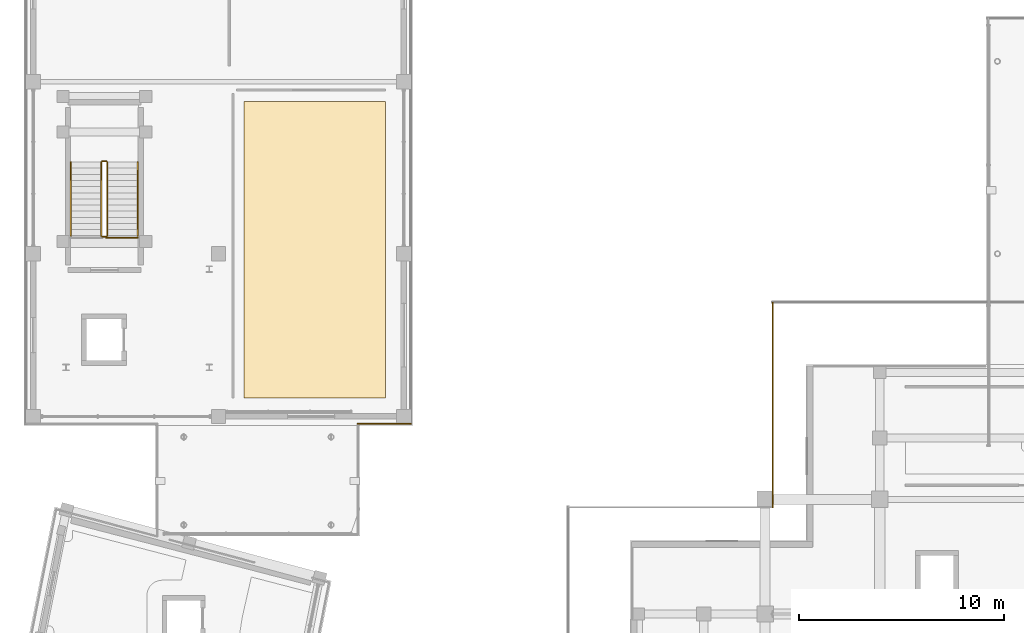
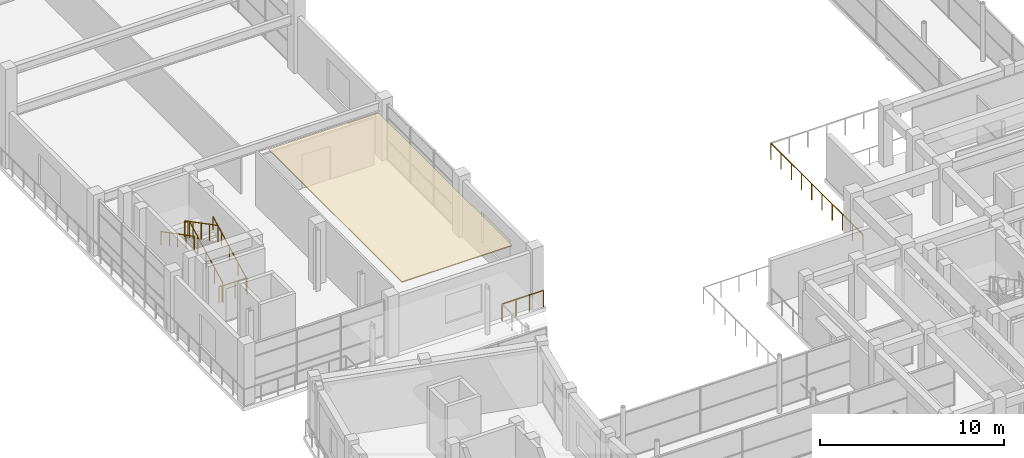
# One storey, part 68 of 72: 9 railings, 1 covering.
"""IFC4 building model written with IfcOpenShell, lengths in metres."""

from ifc_helpers import new_model, si_unit, direction, frame, origin, origin_2d, place, context, subcontext, project, spatial, polyline, rectangle, outline, extrude, material, layer, layer_set, type_object, element, save


model = new_model("IFC4")

# Units and contexts
model_context = context("Model", 3, precision=1e-05, world=origin(), true_north=direction((0.0, 1.0)))
body_context = subcontext(model_context, "Body", "Model", "MODEL_VIEW")
ifc_project = project(units=[si_unit("LENGTHUNIT", "METRE"), si_unit("AREAUNIT", "SQUARE_METRE"), si_unit("VOLUMEUNIT", "CUBIC_METRE"), si_unit("PLANEANGLEUNIT", "RADIAN"), si_unit("MASSUNIT", "GRAM", prefix="KILO")], contexts=[model_context])

# Site, building, storey
site_placement = place(None, origin())
site = spatial("IfcSite", under=ifc_project, at=site_placement, CompositionType="ELEMENT")
building_placement = place(site_placement, origin())
building = spatial("IfcBuilding", under=site, at=building_placement, Name="Saryqyr Civic Hall", CompositionType="ELEMENT")
storey_placement = place(building_placement, frame((0.0, 0.0, 17.25)))
storey = spatial("IfcBuildingStorey", under=building, at=storey_placement, Name="L04", CompositionType="ELEMENT", Elevation=17.25)

# Railing
ifc_material_1 = material(Name="Stainless steel and laminated glass", Category="steel")
ifc_layer_1 = layer(ifc_material_1, 0.06005859375, Name="Stainless steel and laminated glass")
ifc_layer_set_1 = layer_set([ifc_layer_1], Name="Stainless steel and laminated glass")
railing_type_1 = type_object("IfcRailingType", Name="ENV-RLG-BAL-1100", PredefinedType="BALUSTRADE", material=ifc_layer_set_1)
railing_1_placement = place(storey_placement, frame((44.179931640625, 106.820068359375, 0.0)))
element("IfcRailing", 1, at=railing_1_placement, inside=storey, type_object=railing_type_1, Name="Perimeter safety balustrade V1-STEPG-L04-G08", PredefinedType="BALUSTRADE", context=body_context, shape_type="SweptSolid", body=[
    extrude(rectangle(XDim=0.048095703125, YDim=0.048095703125, at=origin_2d()), frame((0.0, 0.0, 1.076171875), z_axis=(0.0, -1.0, 0.0), x_axis=(1.0, 0.0, 0.0)), (0.0, 0.0, 1.0), 10.0),
    extrude(rectangle(XDim=0.0419921875, YDim=0.0419921875, at=origin_2d()), origin(), (0.0, 0.0, 1.0), 1.052001953125),
    extrude(rectangle(XDim=0.0419921875, YDim=0.0419921875, at=origin_2d()), frame((0.0, -1.111083984375, 0.0)), (0.0, 0.0, 1.0), 1.052001953125),
    extrude(rectangle(XDim=0.0419921875, YDim=0.0419921875, at=origin_2d()), frame((0.0, -2.22216796875, 0.0)), (0.0, 0.0, 1.0), 1.052001953125),
    extrude(rectangle(XDim=0.0419921875, YDim=0.0419921875, at=origin_2d()), frame((0.0, -3.333251953125, 0.0)), (0.0, 0.0, 1.0), 1.052001953125),
    extrude(rectangle(XDim=0.0419921875, YDim=0.0419921875, at=origin_2d()), frame((0.0, -4.4443359375, 0.0)), (0.0, 0.0, 1.0), 1.052001953125),
    extrude(rectangle(XDim=0.0419921875, YDim=0.0419921875, at=origin_2d()), frame((0.0, -5.5556640625, 0.0)), (0.0, 0.0, 1.0), 1.052001953125),
    extrude(rectangle(XDim=0.0419921875, YDim=0.0419921875, at=origin_2d()), frame((0.0, -6.666748046875, 0.0)), (0.0, 0.0, 1.0), 1.052001953125),
    extrude(rectangle(XDim=0.0419921875, YDim=0.0419921875, at=origin_2d()), frame((0.0, -7.77783203125, 0.0)), (0.0, 0.0, 1.0), 1.052001953125),
    extrude(rectangle(XDim=0.0419921875, YDim=0.0419921875, at=origin_2d()), frame((0.0, -8.888916015625, 0.0)), (0.0, 0.0, 1.0), 1.052001953125),
    extrude(rectangle(XDim=0.0419921875, YDim=0.0419921875, at=origin_2d()), frame((0.0, -10.0, 0.0)), (0.0, 0.0, 1.0), 1.052001953125),
])

# Covering
ifc_material_2 = material(Name="Mineral-fibre acoustic ceiling tile", Category="acoustic_tile")
ifc_layer_2 = layer(ifc_material_2, 0.06005859375, Name="Mineral-fibre acoustic ceiling tile")
ifc_layer_set_2 = layer_set([ifc_layer_2], Name="Mineral-fibre acoustic ceiling tile")
covering_type = type_object("IfcCoveringType", Name="INT-COV-CEIL-60", PredefinedType="CEILING", material=ifc_layer_set_2)
covering_placement = place(storey_placement, frame((0.0, 0.0, 3.699951171875)))
element("IfcCovering", 2, at=covering_placement, inside=storey, type_object=covering_type, Name="Acoustic ceiling Chief Librarian's Suite & Accessible MGN WC L04", PredefinedType="CEILING", context=body_context, shape_type="SweptSolid", body=[
    extrude(outline(polyline([(18.35009765625, 102.14990234375), (18.35009765625, 116.64990234375), (25.25, 116.64990234375), (25.25, 102.14990234375), (18.35009765625, 102.14990234375)])), origin(), (0.0, 0.0, 1.0), 0.06005859375),
])

# Railings
ifc_material_3 = material(Name="Warm brushed brass and laminated glass", Category="glass")
ifc_layer_3 = layer(ifc_material_3, 0.06005859375, Name="Warm brushed brass and laminated glass")
ifc_layer_set_3 = layer_set([ifc_layer_3], Name="Warm brushed brass and laminated glass")
railing_type_2 = type_object("IfcRailingType", Name="INT-RLG-BAL-1100", PredefinedType="BALUSTRADE", material=ifc_layer_set_3)
railing_2_placement = place(storey_placement, frame((11.669921875, 110.080078125, 0.15576171875)))
element("IfcRailing", 3, at=railing_2_placement, inside=storey, type_object=railing_type_2, Name="L04 ST-3 stair guard 1", PredefinedType="BALUSTRADE", context=body_context, shape_type="SweptSolid", body=[
    extrude(rectangle(XDim=0.048095703125, YDim=0.048095703125, at=origin_2d()), frame((0.0, 0.0, 1.076171875), z_axis=(0.0, 0.887497496945, 0.460812535545), x_axis=(-1.0, 0.0, 0.0)), (0.0, 0.0, 1.0), 4.05615234375),
    extrude(rectangle(XDim=0.0419921875, YDim=0.0419921875, at=origin_2d()), origin(), (0.0, 0.0, 1.0), 1.052001953125),
    extrude(rectangle(XDim=0.0419921875, YDim=0.0419921875, at=origin_2d()), frame((0.0, 0.89990234375, 0.46728515625)), (0.0, 0.0, 1.0), 1.052001953125),
    extrude(rectangle(XDim=0.0419921875, YDim=0.0419921875, at=origin_2d()), frame((0.0, 1.7998046875, 0.9345703125)), (0.0, 0.0, 1.0), 1.052001953125),
    extrude(rectangle(XDim=0.0419921875, YDim=0.0419921875, at=origin_2d()), frame((0.0, 2.699951171875, 1.40185546875)), (0.0, 0.0, 1.0), 1.052001953125),
    extrude(rectangle(XDim=0.0419921875, YDim=0.0419921875, at=origin_2d()), frame((0.0, 3.599853515625, 1.869140625)), (0.0, 0.0, 1.0), 1.052001953125),
])
railing_3_placement = place(storey_placement, frame((11.6201171875, 113.72998046875, 2.02490234375)))
element("IfcRailing", 4, at=railing_3_placement, inside=storey, type_object=railing_type_2, Name="L04 ST-3 stair guard 2", PredefinedType="BALUSTRADE", context=body_context, shape_type="SweptSolid", body=[
    extrude(rectangle(XDim=0.048095703125, YDim=0.048095703125, at=origin_2d()), frame((0.0, 0.0, 1.076171875), z_axis=(-1.0, 0.0, 0.0), x_axis=(0.0, -1.0, 0.0)), (0.0, 0.0, 1.0), 0.2001953125),
    extrude(rectangle(XDim=0.0419921875, YDim=0.0419921875, at=origin_2d()), origin(), (0.0, 0.0, 1.0), 1.052001953125),
    extrude(rectangle(XDim=0.0419921875, YDim=0.0419921875, at=origin_2d()), frame((-0.2001953125, 0.0, 0.0)), (0.0, 0.0, 1.0), 1.052001953125),
])
railing_4_placement = place(storey_placement, frame((11.3701171875, 113.679931640625, 2.1806640625)))
element("IfcRailing", 5, at=railing_4_placement, inside=storey, type_object=railing_type_2, Name="L04 ST-3 stair guard 3", PredefinedType="BALUSTRADE", context=body_context, shape_type="SweptSolid", body=[
    extrude(rectangle(XDim=0.048095703125, YDim=0.048095703125, at=origin_2d()), frame((0.0, 0.0, 1.076171875), z_axis=(0.0, -0.887472880572, 0.460859942119), x_axis=(1.0, 0.0, 0.0)), (0.0, 0.0, 1.0), 4.056396484375),
    extrude(rectangle(XDim=0.0419921875, YDim=0.0419921875, at=origin_2d()), origin(), (0.0, 0.0, 1.0), 1.052001953125),
    extrude(rectangle(XDim=0.0419921875, YDim=0.0419921875, at=origin_2d()), frame((0.0, -0.89990234375, 0.46728515625)), (0.0, 0.0, 1.0), 1.052001953125),
    extrude(rectangle(XDim=0.0419921875, YDim=0.0419921875, at=origin_2d()), frame((0.0, -1.7998046875, 0.9345703125)), (0.0, 0.0, 1.0), 1.052001953125),
    extrude(rectangle(XDim=0.0419921875, YDim=0.0419921875, at=origin_2d()), frame((0.0, -2.699951171875, 1.402099609375)), (0.0, 0.0, 1.0), 1.052001953125),
    extrude(rectangle(XDim=0.0419921875, YDim=0.0419921875, at=origin_2d()), frame((0.0, -3.599853515625, 1.869384765625)), (0.0, 0.0, 1.0), 1.052001953125),
])
railing_5_placement = place(storey_placement, frame((11.6201171875, 110.030029296875, 0.0)))
element("IfcRailing", 6, at=railing_5_placement, inside=storey, type_object=railing_type_2, Name="L04 ST-3 stair guard 4", PredefinedType="BALUSTRADE", context=body_context, shape_type="SweptSolid", body=[
    extrude(rectangle(XDim=0.048095703125, YDim=0.048095703125, at=origin_2d()), frame((0.0, 0.0, 1.076171875), z_axis=(-1.0, 0.0, 0.0), x_axis=(0.0, -1.0, 0.0)), (0.0, 0.0, 1.0), 0.2001953125),
    extrude(rectangle(XDim=0.0419921875, YDim=0.0419921875, at=origin_2d()), origin(), (0.0, 0.0, 1.0), 1.052001953125),
    extrude(rectangle(XDim=0.0419921875, YDim=0.0419921875, at=origin_2d()), frame((-0.2001953125, 0.0, 0.0)), (0.0, 0.0, 1.0), 1.052001953125),
])
railing_6_placement = place(storey_placement, frame((26.5, 100.89990234375, 0.0)))
element("IfcRailing", 7, at=railing_6_placement, inside=storey, type_object=railing_type_2, Name="Interior deck safety balustrade L04-019", PredefinedType="BALUSTRADE", context=body_context, shape_type="SweptSolid", body=[
    extrude(rectangle(XDim=0.048095703125, YDim=0.048095703125, at=origin_2d()), frame((0.0, 0.0, 1.09619140625), z_axis=(-1.0, 0.0, 0.0), x_axis=(0.0, -1.0, 0.0)), (0.0, 0.0, 1.0), 2.60009765625),
    extrude(rectangle(XDim=0.0419921875, YDim=0.0419921875, at=origin_2d()), origin(), (0.0, 0.0, 1.0), 1.072021484375),
    extrude(rectangle(XDim=0.0419921875, YDim=0.0419921875, at=origin_2d()), frame((-0.86669921875, 0.0, 0.0)), (0.0, 0.0, 1.0), 1.072021484375),
    extrude(rectangle(XDim=0.0419921875, YDim=0.0419921875, at=origin_2d()), frame((-1.7333984375, 0.0, 0.0)), (0.0, 0.0, 1.0), 1.072021484375),
    extrude(rectangle(XDim=0.0419921875, YDim=0.0419921875, at=origin_2d()), frame((-2.60009765625, 0.0, 0.0)), (0.0, 0.0, 1.0), 1.072021484375),
])
railing_7_placement = place(storey_placement, frame((11.6201171875, 109.97998046875, 0.0)))
element("IfcRailing", 8, at=railing_7_placement, inside=storey, type_object=railing_type_2, Name="Interior deck safety balustrade L04-106", PredefinedType="BALUSTRADE", context=body_context, shape_type="SweptSolid", body=[
    extrude(rectangle(XDim=0.048095703125, YDim=0.048095703125, at=origin_2d()), frame((0.0, 0.0, 1.09619140625), z_axis=(1.0, 0.0, 0.0), x_axis=(0.0, 1.0, 0.0)), (0.0, 0.0, 1.0), 1.534912109375),
    extrude(rectangle(XDim=0.0419921875, YDim=0.0419921875, at=origin_2d()), origin(), (0.0, 0.0, 1.0), 1.072021484375),
    extrude(rectangle(XDim=0.0419921875, YDim=0.0419921875, at=origin_2d()), frame((0.767578125, 0.0, 0.0)), (0.0, 0.0, 1.0), 1.072021484375),
    extrude(rectangle(XDim=0.0419921875, YDim=0.0419921875, at=origin_2d()), frame((1.534912109375, 0.0, 0.0)), (0.0, 0.0, 1.0), 1.072021484375),
])
ifc_material_4 = material(Name="Stainless steel", Category="steel")
ifc_layer_4 = layer(ifc_material_4, 0.050048828125, Name="Stainless steel")
ifc_layer_set_4 = layer_set([ifc_layer_4], Name="Stainless steel")
railing_type_3 = type_object("IfcRailingType", Name="INT-RLG-HND-900", PredefinedType="HANDRAIL", material=ifc_layer_set_4)
railing_8_placement = place(storey_placement, frame((13.14990234375, 110.080078125, 0.15576171875)))
element("IfcRailing", 9, at=railing_8_placement, inside=storey, type_object=railing_type_3, Name="L04 ST-3 stair handrail 1", PredefinedType="HANDRAIL", context=body_context, shape_type="SweptSolid", body=[
    extrude(rectangle(XDim=0.048095703125, YDim=0.048095703125, at=origin_2d()), frame((0.0, 0.0, 0.8759765625), z_axis=(0.0, 0.887497496945, 0.460812535545), x_axis=(-1.0, 0.0, 0.0)), (0.0, 0.0, 1.0), 4.05615234375),
    extrude(rectangle(XDim=0.0419921875, YDim=0.0419921875, at=origin_2d()), origin(), (0.0, 0.0, 1.0), 0.851806640625),
    extrude(rectangle(XDim=0.0419921875, YDim=0.0419921875, at=origin_2d()), frame((0.0, 0.89990234375, 0.46728515625)), (0.0, 0.0, 1.0), 0.851806640625),
    extrude(rectangle(XDim=0.0419921875, YDim=0.0419921875, at=origin_2d()), frame((0.0, 1.7998046875, 0.9345703125)), (0.0, 0.0, 1.0), 0.851806640625),
    extrude(rectangle(XDim=0.0419921875, YDim=0.0419921875, at=origin_2d()), frame((0.0, 2.699951171875, 1.40185546875)), (0.0, 0.0, 1.0), 0.851806640625),
    extrude(rectangle(XDim=0.0419921875, YDim=0.0419921875, at=origin_2d()), frame((0.0, 3.599853515625, 1.869140625)), (0.0, 0.0, 1.0), 0.851806640625),
])
railing_9_placement = place(storey_placement, frame((9.889892578125, 113.679931640625, 2.1806640625)))
element("IfcRailing", 10, at=railing_9_placement, inside=storey, type_object=railing_type_3, Name="L04 ST-3 stair handrail 2", PredefinedType="HANDRAIL", context=body_context, shape_type="SweptSolid", body=[
    extrude(rectangle(XDim=0.048095703125, YDim=0.048095703125, at=origin_2d()), frame((0.0, 0.0, 0.8759765625), z_axis=(0.0, -0.887472880572, 0.460859942119), x_axis=(1.0, 0.0, 0.0)), (0.0, 0.0, 1.0), 4.056396484375),
    extrude(rectangle(XDim=0.0419921875, YDim=0.0419921875, at=origin_2d()), origin(), (0.0, 0.0, 1.0), 0.851806640625),
    extrude(rectangle(XDim=0.0419921875, YDim=0.0419921875, at=origin_2d()), frame((0.0, -0.89990234375, 0.46728515625)), (0.0, 0.0, 1.0), 0.851806640625),
    extrude(rectangle(XDim=0.0419921875, YDim=0.0419921875, at=origin_2d()), frame((0.0, -1.7998046875, 0.9345703125)), (0.0, 0.0, 1.0), 0.851806640625),
    extrude(rectangle(XDim=0.0419921875, YDim=0.0419921875, at=origin_2d()), frame((0.0, -2.699951171875, 1.402099609375)), (0.0, 0.0, 1.0), 0.851806640625),
    extrude(rectangle(XDim=0.0419921875, YDim=0.0419921875, at=origin_2d()), frame((0.0, -3.599853515625, 1.869384765625)), (0.0, 0.0, 1.0), 0.851806640625),
])

save(model, "model.ifc")
